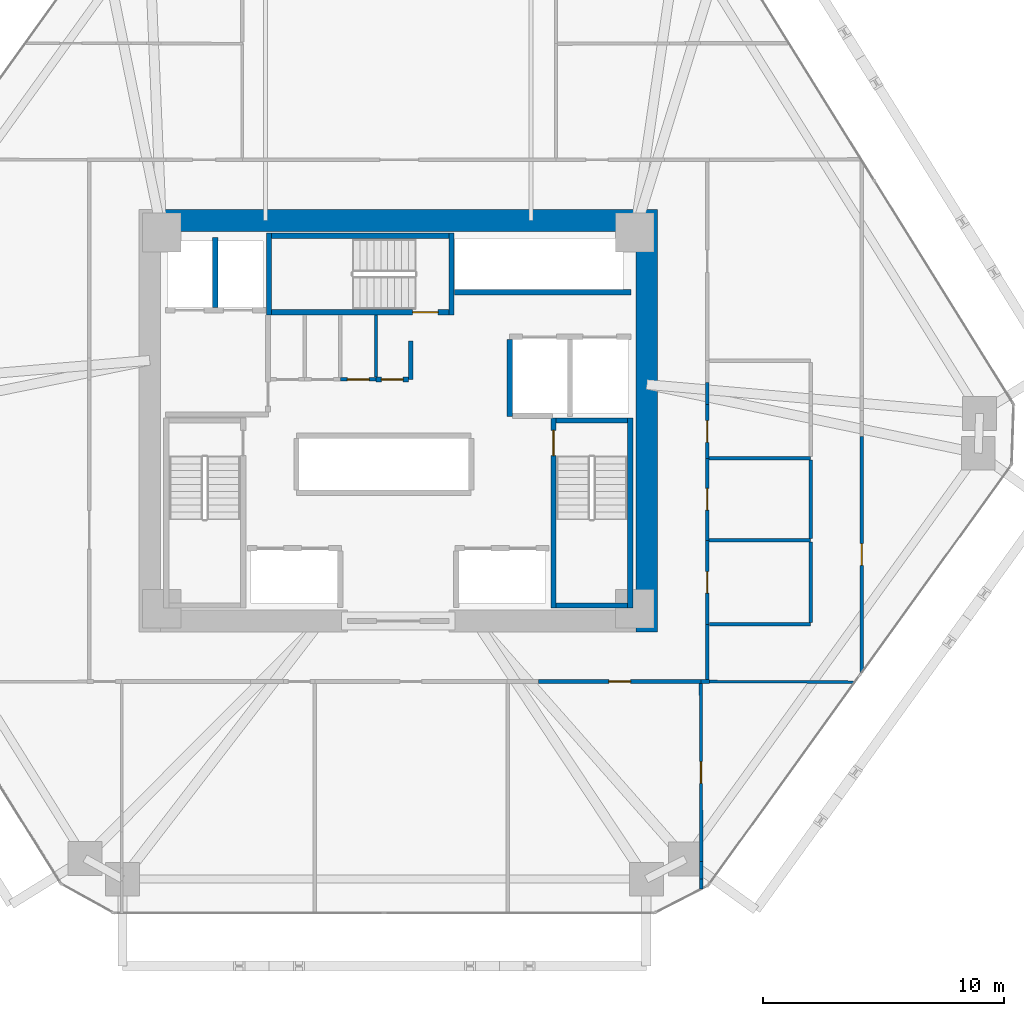
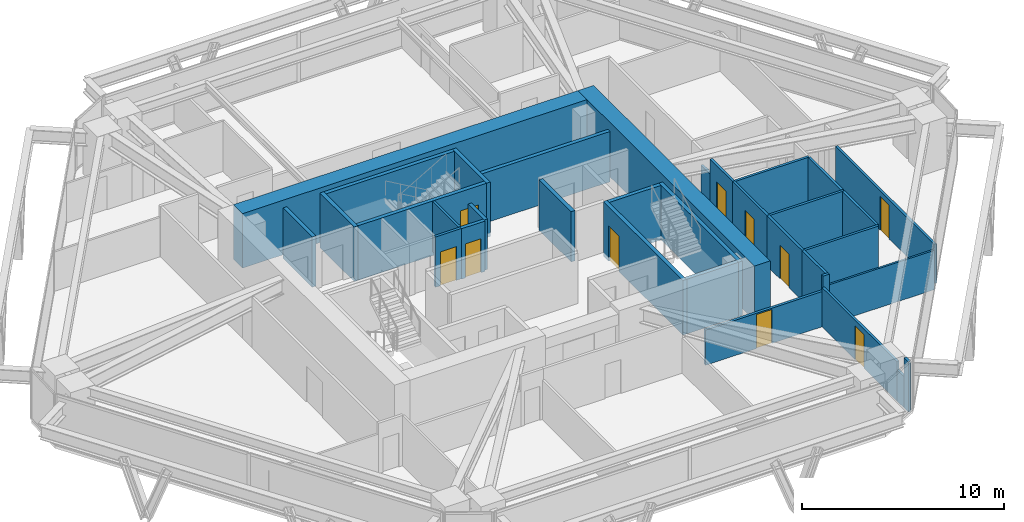
# One storey, part 12 of 15: 34 walls, 10 doors, 10 openings.
"""IFC4 building model written with IfcOpenShell, lengths in metres."""

from ifc_helpers import new_model, si_unit, direction, frame, frame_2d, origin, place, context, subcontext, project, spatial, rectangle, extrude, source, transform, mapped, material, layer, layer_set, type_object, type_shapes, element, fill, save


model = new_model("IFC4")

# Units and contexts
model_context = context("Model", 3, precision=1e-05, world=origin(), true_north=direction((0.0, 1.0)))
body_context = subcontext(model_context, "Body", "Model", "MODEL_VIEW")
ifc_project = project(units=[si_unit("LENGTHUNIT", "METRE"), si_unit("AREAUNIT", "SQUARE_METRE"), si_unit("VOLUMEUNIT", "CUBIC_METRE"), si_unit("PLANEANGLEUNIT", "RADIAN"), si_unit("MASSUNIT", "GRAM", prefix="KILO")], contexts=[model_context])

# Site, building, storey
site_placement = place(None, origin())
site = spatial("IfcSite", under=ifc_project, at=site_placement, CompositionType="ELEMENT")
building_placement = place(site_placement, origin())
building = spatial("IfcBuilding", under=site, at=building_placement, Name="Durnholm Broadcast Tower", CompositionType="ELEMENT")
storey_placement = place(building_placement, frame((0.0, 0.0, 55.5)))
storey = spatial("IfcBuildingStorey", under=building, at=storey_placement, Name="L13", CompositionType="ELEMENT", Elevation=55.5)

# Walls
ifc_material_1 = material(Name="Concrete C70/85", Category="concrete")
ifc_layer_1 = layer(ifc_material_1, 0.89990234375)
ifc_layer_set_1 = layer_set([ifc_layer_1], Name="Concrete C70/85")
wall_type_1 = type_object("IfcWallType", Name="WALL-CW-900", PredefinedType="SHEAR", material=ifc_layer_set_1)
wall_1_placement = place(storey_placement, frame((10.300048828125, -8.75, 0.0), z_axis=(0.0, 0.0, 1.0), x_axis=(0.0, 1.0, 0.0)))
element("IfcWall", 1, at=wall_1_placement, inside=storey, type_object=wall_type_1, Name="L13 central core shear wall CW-EAST", PredefinedType="SHEAR", context=body_context, shape_type="SweptSolid", body=[
    extrude(rectangle(XDim=17.5, YDim=0.89990234375, at=frame_2d((8.75, 0.0))), origin(), (0.0, 0.0, 1.0), 3.300048828125),
])
wall_2_placement = place(storey_placement, frame((-9.85009765625, 8.300048828125, 0.0), z_axis=(0.0, 0.0, 1.0), x_axis=(1.0, 0.0, 0.0)))
element("IfcWall", 2, at=wall_2_placement, inside=storey, type_object=wall_type_1, Name="L13 central core shear wall CW-N", PredefinedType="SHEAR", context=body_context, shape_type="SweptSolid", body=[
    extrude(rectangle(XDim=19.7001953125, YDim=0.89990234375, at=frame_2d((9.85009765625, 0.0))), origin(), (0.0, 0.0, 1.0), 3.300048828125),
])
ifc_material_2 = material(Name="Fire-Rated Gypsum Shaftwall", Category="concrete")
ifc_layer_2 = layer(ifc_material_2, 0.199951171875)
ifc_layer_set_2 = layer_set([ifc_layer_2], Name="Fire-Rated Gypsum Shaftwall")
wall_type_2 = type_object("IfcWallType", Name="WALL-LOB-200", PredefinedType="SOLIDWALL", material=ifc_layer_set_2)
wall_3_placement = place(storey_placement, frame((0.52001953125, 3.300048828125, 0.0), z_axis=(0.0, 0.0, 1.0), x_axis=(0.0, -1.0, 0.0)))
element("IfcWall", 3, at=wall_3_placement, inside=storey, type_object=wall_type_2, Name="L13 Core Signal Sync Room corridor partition", PredefinedType="SOLIDWALL", context=body_context, shape_type="SweptSolid", body=[
    extrude(rectangle(XDim=1.590087890625, YDim=0.199951171875, at=frame_2d((0.794921875, 0.0))), origin(), (0.0, 0.0, 1.0), 3.044921875),
])

# Wall, opening, door
wall_4_placement = place(storey_placement, frame((0.416015625, 1.7099609375, 0.0), z_axis=(0.0, 0.0, 1.0), x_axis=(-1.0, 0.0, 0.0)))
wall_4 = element("IfcWall", 4, at=wall_4_placement, inside=storey, type_object=wall_type_2, Name="L13 Core Signal Sync Room corridor partition", PredefinedType="SOLIDWALL", context=body_context, shape_type="SweptSolid", body=[
    extrude(rectangle(XDim=1.3359375, YDim=0.199951171875, at=frame_2d((0.66796875, 0.0))), origin(), (0.0, 0.0, 1.0), 3.044921875),
])
opening_1_placement = place(wall_4_placement, frame((0.218017578125, 0.0, 0.0)))
opening_1 = element("IfcOpeningElement", 5, at=opening_1_placement, cuts=wall_4, Name="Opening DC-60R", PredefinedType="OPENING", context=body_context, shape_type="SweptSolid", body=[
    extrude(rectangle(XDim=0.89990234375, YDim=2.050048828125, at=frame_2d((0.449951171875, 1.02490234375))), frame((0.0, 0.10986328125, 0.0), z_axis=(0.0, -1.0, 0.0), x_axis=(1.0, 0.0, 0.0)), (0.0, 0.0, 1.0), 0.219970703125),
])
ifc_material_3 = material(Name="Fire-Rated Core Service Door", Category="steel")
ifc_layer_3 = layer(ifc_material_3, 0.050048828125)
ifc_layer_set_3 = layer_set([ifc_layer_3], Name="Fire-Rated Core Service Door")
door_type_1 = type_object("IfcDoorType", Name="DOOR-CORE-FD60-R", OperationType="NOTDEFINED", PredefinedType="DOOR", material=ifc_layer_set_3)
shared_shape_1 = source(origin(), body_context, "Body", "SweptSolid", [
    extrude(rectangle(XDim=0.89990234375, YDim=2.050048828125, at=frame_2d((0.449951171875, 1.02490234375))), frame((0.0, 0.02490234375, 0.0), z_axis=(0.0, -1.0, 0.0), x_axis=(1.0, 0.0, 0.0)), (0.0, 0.0, 1.0), 0.050048828125),
])
type_shapes(door_type_1, [shared_shape_1])
door_1_placement = place(opening_1_placement, origin())
door_1 = element("IfcDoor", 6, at=door_1_placement, inside=storey, type_object=door_type_1, Name="L13 Core Signal Sync Room entrance door", OperationType="SINGLE_SWING_RIGHT", OverallHeight=2.050048828125, OverallWidth=0.89990234375, PredefinedType="DOOR", context=body_context, shape_type="MappedRepresentation", body=[
    mapped(shared_shape_1, transform((0.0, 0.0, 0.0), x_axis=(1.0, 0.0, 0.0), y_axis=(0.0, 1.0, 0.0), z_axis=(0.0, 0.0, 1.0), scale=1.0)),
])
fill(opening_1, door_1)

# Walls
ifc_material_4 = material(Name="Operable Acoustic Panel Partition", Category="aluminium")
ifc_layer_4 = layer(ifc_material_4, 0.110107421875)
ifc_layer_set_4 = layer_set([ifc_layer_4], Name="Operable Acoustic Panel Partition")
wall_type_3 = type_object("IfcWallType", Name="WALL-MOV-110", PredefinedType="MOVABLE", material=ifc_layer_set_4)
wall_5_placement = place(storey_placement, frame((12.889892578125, -10.810302734375, 0.0), z_axis=(0.0, 0.0, 1.0), x_axis=(0.999992607823, -0.003845035728, 0.0)))
element("IfcWall", 7, at=wall_5_placement, inside=storey, type_object=wall_type_3, Name="L13 room dividing partition 17.19", PredefinedType="MOVABLE", context=body_context, shape_type="SweptSolid", body=[
    extrude(rectangle(XDim=6.031982421875, YDim=0.110107421875, at=frame_2d((3.01611328125, 0.0))), origin(), (0.0, 0.0, 1.0), 2.3798828125),
])
ifc_material_5 = material(Name="Gypsum Metal Stud Partition", Category="concrete")
ifc_layer_5 = layer(ifc_material_5, 0.135009765625)
ifc_layer_set_5 = layer_set([ifc_layer_5], Name="Gypsum Metal Stud Partition")
wall_type_4 = type_object("IfcWallType", Name="WALL-PART-135", PredefinedType="PARTITIONING", material=ifc_layer_set_5)
wall_6_placement = place(storey_placement, frame((-0.919921875, 4.375, 0.0), z_axis=(0.0, 0.0, 1.0), x_axis=(0.0, -1.0, 0.0)))
element("IfcWall", 8, at=wall_6_placement, inside=storey, type_object=wall_type_4, Name="L13 room dividing partition 3.4", PredefinedType="PARTITIONING", context=body_context, shape_type="SweptSolid", body=[
    extrude(rectangle(XDim=2.56103515625, YDim=0.135009765625, at=frame_2d((1.280517578125, 0.0))), origin(), (0.0, 0.0, 1.0), 3.044921875),
])

# Wall, opening, door
wall_7_placement = place(storey_placement, frame((12.540283203125, -10.888916015625, 0.0), z_axis=(0.0, 0.0, 1.0), x_axis=(0.002115348101, -0.999997762649, 0.0)))
wall_7 = element("IfcWall", 9, at=wall_7_placement, inside=storey, type_object=wall_type_4, Name="L13 room dividing partition 16.17", PredefinedType="PARTITIONING", context=body_context, shape_type="SweptSolid", body=[
    extrude(rectangle(XDim=7.386474609375, YDim=0.135009765625, at=frame_2d((3.693359375, 0.0))), origin(), (0.0, 0.0, 1.0), 2.3798828125),
])
opening_2_placement = place(wall_7_placement, frame((3.2431640625, 0.0, 0.0)))
opening_2 = element("IfcOpeningElement", 10, at=opening_2_placement, cuts=wall_7, Name="Opening DW-90L", PredefinedType="OPENING", context=body_context, shape_type="SweptSolid", body=[
    extrude(rectangle(XDim=0.89990234375, YDim=2.050048828125, at=frame_2d((0.449951171875, 1.02490234375))), frame((0.0, 0.07763671875, 0.0), z_axis=(0.0, -1.0, 0.0), x_axis=(1.0, 0.0, 0.0)), (0.0, 0.0, 1.0), 0.155029296875),
])
ifc_material_6 = material(Name="Laminate Restroom Door", Category="steel")
ifc_layer_6 = layer(ifc_material_6, 0.050048828125)
ifc_layer_set_6 = layer_set([ifc_layer_6], Name="Laminate Restroom Door")
door_type_2 = type_object("IfcDoorType", Name="DOOR-WC-900L", OperationType="NOTDEFINED", PredefinedType="DOOR", material=ifc_layer_set_6)
shared_shape_2 = source(origin(), body_context, "Body", "SweptSolid", [
    extrude(rectangle(XDim=0.89990234375, YDim=2.050048828125, at=frame_2d((0.449951171875, 1.02490234375))), frame((0.0, 0.02490234375, 0.0), z_axis=(0.0, -1.0, 0.0), x_axis=(1.0, 0.0, 0.0)), (0.0, 0.0, 1.0), 0.050048828125),
])
type_shapes(door_type_2, [shared_shape_2])
door_2_placement = place(opening_2_placement, origin())
door_2 = element("IfcDoor", 11, at=door_2_placement, inside=storey, type_object=door_type_2, Name="L13 Investigative Meeting Room connecting door", OperationType="SINGLE_SWING_LEFT", OverallHeight=2.050048828125, OverallWidth=0.89990234375, PredefinedType="DOOR", context=body_context, shape_type="MappedRepresentation", body=[
    mapped(shared_shape_2, transform((0.0, 0.0, 0.0), x_axis=(1.0, 0.0, 0.0), y_axis=(0.0, 1.0, 0.0), z_axis=(0.0, 0.0, 1.0), scale=1.0)),
])
fill(opening_2, door_2)

# Walls
wall_8_placement = place(storey_placement, frame((12.557373046875, -18.99755859375, 0.0), z_axis=(0.0, 0.0, 1.0), x_axis=(0.001783588126, -0.999998409405, 0.0)))
element("IfcWall", 12, at=wall_8_placement, inside=storey, type_object=wall_type_4, Name="L13 room dividing partition 16.17", PredefinedType="PARTITIONING", context=body_context, shape_type="SweptSolid", body=[
    extrude(rectangle(XDim=0.41064453125, YDim=0.135009765625, at=frame_2d((0.205322265625, 0.0))), origin(), (0.0, 0.0, 1.0), 3.044921875),
])
wall_9_placement = place(storey_placement, frame((12.555908203125, -18.275390625, 0.0), z_axis=(0.0, 0.0, 1.0), x_axis=(0.002028393393, -0.999997942808, 0.0)))
element("IfcWall", 13, at=wall_9_placement, inside=storey, type_object=wall_type_4, Name="L13 room dividing partition 16.17", PredefinedType="PARTITIONING", context=body_context, shape_type="SweptSolid", body=[
    extrude(rectangle(XDim=0.72216796875, YDim=0.135009765625, at=frame_2d((0.361083984375, 0.0))), origin(), (0.0, 0.0, 1.0), 1.877197265625),
])

# Wall, opening, door
wall_10_placement = place(storey_placement, frame((19.210205078125, -0.655517578125, 0.0), z_axis=(0.0, 0.0, 1.0), x_axis=(-7.4898886e-05, -0.999999997195, 0.0)))
wall_10 = element("IfcWall", 14, at=wall_10_placement, inside=storey, type_object=wall_type_4, Name="L13 room dividing partition 19.20", PredefinedType="PARTITIONING", context=body_context, shape_type="SweptSolid", body=[
    extrude(rectangle(XDim=9.77880859375, YDim=0.135009765625, at=frame_2d((4.889404296875, 0.0))), origin(), (0.0, 0.0, 1.0), 2.3798828125),
])
opening_3_placement = place(wall_10_placement, frame((4.439453125, 0.0, 0.0)))
opening_3 = element("IfcOpeningElement", 15, at=opening_3_placement, cuts=wall_10, Name="Opening DW-90L", PredefinedType="OPENING", context=body_context, shape_type="SweptSolid", body=[
    extrude(rectangle(XDim=0.89990234375, YDim=2.050048828125, at=frame_2d((0.449951171875, 1.02490234375))), frame((0.0, 0.07763671875, 0.0), z_axis=(0.0, -1.0, 0.0), x_axis=(1.0, 0.0, 0.0)), (0.0, 0.0, 1.0), 0.155029296875),
])
door_3_placement = place(opening_3_placement, origin())
door_3 = element("IfcDoor", 16, at=door_3_placement, inside=storey, type_object=door_type_2, Name="L13 Broadcast Kitchen connecting door", OperationType="SINGLE_SWING_LEFT", OverallHeight=2.050048828125, OverallWidth=0.89990234375, PredefinedType="DOOR", context=body_context, shape_type="MappedRepresentation", body=[
    mapped(shared_shape_2, transform((0.0, 0.0, 0.0), x_axis=(1.0, 0.0, 0.0), y_axis=(0.0, 1.0, 0.0), z_axis=(0.0, 0.0, 1.0), scale=1.0)),
])
fill(opening_3, door_3)

ifc_material_7 = material(Name="Acoustic Gypsum Stud Partition", Category="concrete")
ifc_layer_7 = layer(ifc_material_7, 0.14990234375)
ifc_layer_set_7 = layer_set([ifc_layer_7], Name="Acoustic Gypsum Stud Partition")
wall_type_5 = type_object("IfcWallType", Name="WALL-PART-150", PredefinedType="PARTITIONING", material=ifc_layer_set_7)
wall_11_placement = place(storey_placement, frame((-0.919921875, 1.7099609375, 0.0), z_axis=(0.0, 0.0, 1.0), x_axis=(-1.0, 0.0, 0.0)))
wall_11 = element("IfcWall", 17, at=wall_11_placement, inside=storey, type_object=wall_type_5, Name="L13 Core Safety Gear Store corridor partition", PredefinedType="PARTITIONING", context=body_context, shape_type="SweptSolid", body=[
    extrude(rectangle(XDim=1.47998046875, YDim=0.14990234375, at=frame_2d((0.739990234375, 0.0))), origin(), (0.0, 0.0, 1.0), 3.044921875),
])
opening_4_placement = place(wall_11_placement, frame((0.2900390625, 0.0, 0.0)))
opening_4 = element("IfcOpeningElement", 18, at=opening_4_placement, cuts=wall_11, Name="Opening DC-60L", PredefinedType="OPENING", context=body_context, shape_type="SweptSolid", body=[
    extrude(rectangle(XDim=0.89990234375, YDim=2.050048828125, at=frame_2d((0.449951171875, 1.02490234375))), frame((0.0, 0.0849609375, 0.0), z_axis=(0.0, -1.0, 0.0), x_axis=(1.0, 0.0, 0.0)), (0.0, 0.0, 1.0), 0.169921875),
])
ifc_layer_8 = layer(ifc_material_3, 0.050048828125)
ifc_layer_set_8 = layer_set([ifc_layer_8], Name="Fire-Rated Core Service Door")
door_type_3 = type_object("IfcDoorType", Name="DOOR-CORE-FD60-L", OperationType="NOTDEFINED", PredefinedType="DOOR", material=ifc_layer_set_8)
shared_shape_3 = source(origin(), body_context, "Body", "SweptSolid", [
    extrude(rectangle(XDim=0.89990234375, YDim=2.050048828125, at=frame_2d((0.449951171875, 1.02490234375))), frame((0.0, 0.02490234375, 0.0), z_axis=(0.0, -1.0, 0.0), x_axis=(1.0, 0.0, 0.0)), (0.0, 0.0, 1.0), 0.050048828125),
])
type_shapes(door_type_3, [shared_shape_3])
door_4_placement = place(opening_4_placement, origin())
door_4 = element("IfcDoor", 19, at=door_4_placement, inside=storey, type_object=door_type_3, Name="L13 Core Safety Gear Store entrance door", OperationType="SINGLE_SWING_LEFT", OverallHeight=2.050048828125, OverallWidth=0.89990234375, PredefinedType="DOOR", context=body_context, shape_type="MappedRepresentation", body=[
    mapped(shared_shape_3, transform((0.0, 0.0, 0.0), x_axis=(1.0, 0.0, 0.0), y_axis=(0.0, 1.0, 0.0), z_axis=(0.0, 0.0, 1.0), scale=1.0)),
])
fill(opening_4, door_4)

wall_12_placement = place(storey_placement, frame((5.8173828125, -10.81005859375, 0.0), z_axis=(0.0, 0.0, 1.0), x_axis=(1.0, 0.0, 0.0)))
wall_12 = element("IfcWall", 20, at=wall_12_placement, inside=storey, type_object=wall_type_5, Name="L13 Open Plan Broadcast Workspace 4 corridor partition", PredefinedType="PARTITIONING", context=body_context, shape_type="SweptSolid", body=[
    extrude(rectangle(XDim=6.72265625, YDim=0.14990234375, at=frame_2d((3.361328125, 0.0))), origin(), (0.0, 0.0, 1.0), 2.130126953125),
])
opening_5_placement = place(wall_12_placement, frame((2.911376953125, 0.0, 0.0)))
opening_5 = element("IfcOpeningElement", 21, at=opening_5_placement, cuts=wall_12, Name="Opening DW-90R", PredefinedType="OPENING", context=body_context, shape_type="SweptSolid", body=[
    extrude(rectangle(XDim=0.89990234375, YDim=2.050048828125, at=frame_2d((0.449951171875, 1.02490234375))), frame((0.0, 0.0849609375, 0.0), z_axis=(0.0, -1.0, 0.0), x_axis=(1.0, 0.0, 0.0)), (0.0, 0.0, 1.0), 0.169921875),
])
ifc_layer_9 = layer(ifc_material_6, 0.050048828125)
ifc_layer_set_9 = layer_set([ifc_layer_9], Name="Laminate Restroom Door")
door_type_4 = type_object("IfcDoorType", Name="DOOR-WC-900R", OperationType="NOTDEFINED", PredefinedType="DOOR", material=ifc_layer_set_9)
shared_shape_4 = source(origin(), body_context, "Body", "SweptSolid", [
    extrude(rectangle(XDim=0.89990234375, YDim=2.050048828125, at=frame_2d((0.449951171875, 1.02490234375))), frame((0.0, 0.02490234375, 0.0), z_axis=(0.0, -1.0, 0.0), x_axis=(1.0, 0.0, 0.0)), (0.0, 0.0, 1.0), 0.050048828125),
])
type_shapes(door_type_4, [shared_shape_4])
door_5_placement = place(opening_5_placement, origin())
door_5 = element("IfcDoor", 22, at=door_5_placement, inside=storey, type_object=door_type_4, Name="L13 Open Plan Broadcast Workspace 4 entrance door", OperationType="SINGLE_SWING_RIGHT", OverallHeight=2.050048828125, OverallWidth=0.89990234375, PredefinedType="DOOR", context=body_context, shape_type="MappedRepresentation", body=[
    mapped(shared_shape_4, transform((0.0, 0.0, 0.0), x_axis=(1.0, 0.0, 0.0), y_axis=(0.0, 1.0, 0.0), z_axis=(0.0, 0.0, 1.0), scale=1.0)),
])
fill(opening_5, door_5)

# Walls
wall_13_placement = place(storey_placement, frame((12.5400390625, -10.81005859375, 0.0), z_axis=(0.0, 0.0, 1.0), x_axis=(1.0, 0.0, 0.0)))
element("IfcWall", 23, at=wall_13_placement, inside=storey, type_object=wall_type_5, Name="L13 Investigative Meeting Room corridor partition", PredefinedType="PARTITIONING", context=body_context, shape_type="SweptSolid", body=[
    extrude(rectangle(XDim=0.349853515625, YDim=0.14990234375, at=frame_2d((0.1748046875, 0.0))), origin(), (0.0, 0.0, 1.0), 3.044921875),
])
wall_14_placement = place(storey_placement, frame((12.81005859375, -10.73095703125, 0.0), z_axis=(0.0, 0.0, 1.0), x_axis=(0.0, 1.0, 0.0)))
element("IfcWall", 24, at=wall_14_placement, inside=storey, type_object=wall_type_5, Name="L13 Sound Review Lounge corridor partition", PredefinedType="PARTITIONING", context=body_context, shape_type="SweptSolid", body=[
    extrude(rectangle(XDim=2.291015625, YDim=0.14990234375, at=frame_2d((1.1455078125, 0.0))), origin(), (0.0, 0.0, 1.0), 3.044921875),
])
ifc_material_8 = material(Name="Concrete Blockwork C30/37", Category="masonry")
ifc_layer_10 = layer(ifc_material_8, 0.219970703125)
ifc_layer_set_10 = layer_set([ifc_layer_10], Name="Concrete Blockwork C30/37")
wall_type_6 = type_object("IfcWallType", Name="WALL-SHAFT-220", PredefinedType="SOLIDWALL", material=ifc_layer_set_10)
wall_15_placement = place(storey_placement, frame((-7.580078125, 4.694091796875, 0.0), z_axis=(0.0, 0.0, 1.0), x_axis=(0.0, 1.0, 0.0)))
element("IfcWall", 25, at=wall_15_placement, inside=storey, type_object=wall_type_6, Name="L13 FSAE shaft divider wall", PredefinedType="SOLIDWALL", context=body_context, shape_type="SweptSolid", body=[
    extrude(rectangle(XDim=2.906005859375, YDim=0.219970703125, at=frame_2d((1.453125, 0.0))), origin(), (0.0, 0.0, 1.0), 3.044921875),
])
wall_16_placement = place(storey_placement, frame((4.6201171875, 0.179931640625, 0.0), z_axis=(0.0, 0.0, 1.0), x_axis=(0.0, 1.0, 0.0)))
element("IfcWall", 26, at=wall_16_placement, inside=storey, type_object=wall_type_6, Name="L13 freight service lift SVL-2 west wall", PredefinedType="SOLIDWALL", context=body_context, shape_type="SweptSolid", body=[
    extrude(rectangle(XDim=3.18603515625, YDim=0.219970703125, at=frame_2d((1.593017578125, 0.0))), origin(), (0.0, 0.0, 1.0), 3.044921875),
])
wall_17_placement = place(storey_placement, frame((2.324951171875, 5.320068359375, 0.0), z_axis=(0.0, 0.0, 1.0), x_axis=(1.0, 0.0, 0.0)))
element("IfcWall", 27, at=wall_17_placement, inside=storey, type_object=wall_type_6, Name="L13 high-rise bank P3 south front wall", PredefinedType="SOLIDWALL", context=body_context, shape_type="SweptSolid", body=[
    extrude(rectangle(XDim=7.324951171875, YDim=0.219970703125, at=frame_2d((3.66259765625, 0.0))), origin(), (0.0, 0.0, 1.0), 3.044921875),
])
ifc_material_9 = material(Name="Concrete C50/60", Category="concrete")
ifc_layer_11 = layer(ifc_material_9, 0.219970703125)
ifc_layer_set_11 = layer_set([ifc_layer_11], Name="Concrete C50/60")
wall_type_7 = type_object("IfcWallType", Name="WALL-SW-220", PredefinedType="SHEAR", material=ifc_layer_set_11)
wall_18_placement = place(storey_placement, frame((9.610107421875, -7.77001953125, -0.239990234375), z_axis=(0.0, 0.0, 1.0), x_axis=(0.0, 1.0, 0.0)))
element("IfcWall", 28, at=wall_18_placement, inside=storey, type_object=wall_type_7, Name="L13 stair ST-2 structural shaft wall E", PredefinedType="SHEAR", context=body_context, shape_type="SweptSolid", body=[
    extrude(rectangle(XDim=7.89013671875, YDim=0.219970703125, at=frame_2d((3.945068359375, 0.0))), origin(), (0.0, 0.0, 1.0), 3.300048828125),
])

# Wall, opening, door
wall_19_placement = place(storey_placement, frame((6.429931640625, 0.1201171875, -0.239990234375), z_axis=(0.0, 0.0, 1.0), x_axis=(0.0, -1.0, 0.0)))
wall_19 = element("IfcWall", 29, at=wall_19_placement, inside=storey, type_object=wall_type_7, Name="L13 stair ST-2 structural shaft wall W", PredefinedType="SHEAR", context=body_context, shape_type="SweptSolid", body=[
    extrude(rectangle(XDim=7.89013671875, YDim=0.219970703125, at=frame_2d((3.945068359375, 0.0))), origin(), (0.0, 0.0, 1.0), 3.300048828125),
])
opening_6_placement = place(wall_19_placement, frame((0.52001953125, 0.0, 0.0)))
opening_6 = element("IfcOpeningElement", 30, at=opening_6_placement, cuts=wall_19, Name="Opening DS-90R", PredefinedType="OPENING", context=body_context, shape_type="SweptSolid", body=[
    extrude(rectangle(XDim=1.050048828125, YDim=2.14990234375, at=frame_2d((0.52490234375, 1.074951171875))), frame((0.0, 0.1201171875, 0.0), z_axis=(0.0, -1.0, 0.0), x_axis=(1.0, 0.0, 0.0)), (0.0, 0.0, 1.0), 0.239990234375),
])
ifc_material_10 = material(Name="Fire-Rated Steel Door", Category="steel")
ifc_layer_12 = layer(ifc_material_10, 0.050048828125)
ifc_layer_set_12 = layer_set([ifc_layer_12], Name="Fire-Rated Steel Door")
door_type_5 = type_object("IfcDoorType", Name="DOOR-ST-FD90-R", OperationType="NOTDEFINED", PredefinedType="DOOR", material=ifc_layer_set_12)
shared_shape_5 = source(origin(), body_context, "Body", "SweptSolid", [
    extrude(rectangle(XDim=1.050048828125, YDim=2.14990234375, at=frame_2d((0.52490234375, 1.074951171875))), frame((0.0, 0.02490234375, 0.0), z_axis=(0.0, -1.0, 0.0), x_axis=(1.0, 0.0, 0.0)), (0.0, 0.0, 1.0), 0.050048828125),
])
type_shapes(door_type_5, [shared_shape_5])
door_6_placement = place(opening_6_placement, origin())
door_6 = element("IfcDoor", 31, at=door_6_placement, inside=storey, type_object=door_type_5, Name="L13 exit stair ST-2 fire door", OperationType="SINGLE_SWING_RIGHT", OverallHeight=2.14990234375, OverallWidth=1.050048828125, PredefinedType="DOOR", context=body_context, shape_type="MappedRepresentation", body=[
    mapped(shared_shape_5, transform((0.0, 0.0, 0.0), x_axis=(1.0, 0.0, 0.0), y_axis=(0.0, 1.0, 0.0), z_axis=(0.0, 0.0, 1.0), scale=1.0)),
])
fill(opening_6, door_6)

# Walls
for number, where, z_axis, x_axis, name in (
    (32, (6.5400390625, -7.659912109375, -0.239990234375), (0.0, 0.0, 1.0), (1.0, 0.0, 0.0), "L13 stair ST-2 structural shaft wall S"),
    (33, (9.5, 0.010009765625, -0.239990234375), (0.0, 0.0, 1.0), (-1.0, 0.0, 0.0), "L13 stair ST-2 structural shaft wall N"),
):
    element("IfcWall", number, at=place(storey_placement, frame(where, z_axis=z_axis, x_axis=x_axis)), inside=storey, type_object=wall_type_7, Name=name, PredefinedType="SHEAR", context=body_context, shape_type="SweptSolid", body=[
        extrude(rectangle(XDim=2.9599609375, YDim=0.219970703125, at=frame_2d((1.47998046875, 0.0))), origin(), (0.0, 0.0, 1.0), 3.300048828125),
    ])
for number, where, z_axis, x_axis, name in (
    (34, (2.2099609375, 4.3798828125, -0.239990234375), (0.0, 0.0, 1.0), (0.0, 1.0, 0.0), "L13 stair ST-3 structural shaft wall E"),
    (35, (-5.360107421875, 7.780029296875, -0.239990234375), (0.0, 0.0, 1.0), (0.0, -1.0, 0.0), "L13 stair ST-3 structural shaft wall W"),
):
    element("IfcWall", number, at=place(storey_placement, frame(where, z_axis=z_axis, x_axis=x_axis)), inside=storey, type_object=wall_type_7, Name=name, PredefinedType="SHEAR", context=body_context, shape_type="SweptSolid", body=[
        extrude(rectangle(XDim=3.400146484375, YDim=0.219970703125, at=frame_2d((1.7001953125, 0.0))), origin(), (0.0, 0.0, 1.0), 3.300048828125),
    ])

# Wall, opening, door
wall_20_placement = place(storey_placement, frame((-5.25, 4.489990234375, -0.239990234375), z_axis=(0.0, 0.0, 1.0), x_axis=(1.0, 0.0, 0.0)))
wall_20 = element("IfcWall", 36, at=wall_20_placement, inside=storey, type_object=wall_type_7, Name="L13 stair ST-3 structural shaft wall S", PredefinedType="SHEAR", context=body_context, shape_type="SweptSolid", body=[
    extrude(rectangle(XDim=7.35009765625, YDim=0.219970703125, at=frame_2d((3.675048828125, 0.0))), origin(), (0.0, 0.0, 1.0), 3.300048828125),
])
opening_7_placement = place(wall_20_placement, frame((5.85009765625, 0.0, 0.0)))
opening_7 = element("IfcOpeningElement", 37, at=opening_7_placement, cuts=wall_20, Name="Opening DS-90L", PredefinedType="OPENING", context=body_context, shape_type="SweptSolid", body=[
    extrude(rectangle(XDim=1.050048828125, YDim=2.14990234375, at=frame_2d((0.52490234375, 1.074951171875))), frame((0.0, 0.1201171875, 0.0), z_axis=(0.0, -1.0, 0.0), x_axis=(1.0, 0.0, 0.0)), (0.0, 0.0, 1.0), 0.239990234375),
])
ifc_layer_13 = layer(ifc_material_10, 0.050048828125)
ifc_layer_set_13 = layer_set([ifc_layer_13], Name="Fire-Rated Steel Door")
door_type_6 = type_object("IfcDoorType", Name="DOOR-ST-FD90-L", OperationType="NOTDEFINED", PredefinedType="DOOR", material=ifc_layer_set_13)
shared_shape_6 = source(origin(), body_context, "Body", "SweptSolid", [
    extrude(rectangle(XDim=1.050048828125, YDim=2.14990234375, at=frame_2d((0.52490234375, 1.074951171875))), frame((0.0, 0.02490234375, 0.0), z_axis=(0.0, -1.0, 0.0), x_axis=(1.0, 0.0, 0.0)), (0.0, 0.0, 1.0), 0.050048828125),
])
type_shapes(door_type_6, [shared_shape_6])
door_7_placement = place(opening_7_placement, origin())
door_7 = element("IfcDoor", 38, at=door_7_placement, inside=storey, type_object=door_type_6, Name="L13 exit stair ST-3 fire door", OperationType="SINGLE_SWING_LEFT", OverallHeight=2.14990234375, OverallWidth=1.050048828125, PredefinedType="DOOR", context=body_context, shape_type="MappedRepresentation", body=[
    mapped(shared_shape_6, transform((0.0, 0.0, 0.0), x_axis=(1.0, 0.0, 0.0), y_axis=(0.0, 1.0, 0.0), z_axis=(0.0, 0.0, 1.0), scale=1.0)),
])
fill(opening_7, door_7)

# Wall
wall_21_placement = place(storey_placement, frame((2.10009765625, 7.669921875, -0.239990234375), z_axis=(0.0, 0.0, 1.0), x_axis=(-1.0, 0.0, 0.0)))
element("IfcWall", 39, at=wall_21_placement, inside=storey, type_object=wall_type_7, Name="L13 stair ST-3 structural shaft wall N", PredefinedType="SHEAR", context=body_context, shape_type="SweptSolid", body=[
    extrude(rectangle(XDim=7.35009765625, YDim=0.219970703125, at=frame_2d((3.675048828125, 0.0))), origin(), (0.0, 0.0, 1.0), 3.300048828125),
])

# Wall, opening, door
ifc_material_11 = material(Name="Moisture-Resistant Tile Partition", Category="concrete")
ifc_layer_14 = layer(ifc_material_11, 0.139892578125)
ifc_layer_set_14 = layer_set([ifc_layer_14], Name="Moisture-Resistant Tile Partition")
wall_type_8 = type_object("IfcWallType", Name="WALL-WC-140", PredefinedType="PARTITIONING", material=ifc_layer_set_14)
wall_22_placement = place(storey_placement, frame((12.81005859375, -8.43994140625, 0.0), z_axis=(0.0, 0.0, 1.0), x_axis=(0.0, 1.0, 0.0)))
wall_22 = element("IfcWall", 40, at=wall_22_placement, inside=storey, type_object=wall_type_8, Name="L13 Men's Restroom corridor partition", PredefinedType="PARTITIONING", context=body_context, shape_type="SweptSolid", body=[
    extrude(rectangle(XDim=3.47998046875, YDim=0.139892578125, at=frame_2d((1.739990234375, 0.0))), origin(), (0.0, 0.0, 1.0), 3.044921875),
])
opening_8_placement = place(wall_22_placement, frame((1.2900390625, 0.0, 0.0)))
opening_8 = element("IfcOpeningElement", 41, at=opening_8_placement, cuts=wall_22, Name="Opening DW-90L", PredefinedType="OPENING", context=body_context, shape_type="SweptSolid", body=[
    extrude(rectangle(XDim=0.89990234375, YDim=2.050048828125, at=frame_2d((0.449951171875, 1.02490234375))), frame((0.0, 0.080078125, 0.0), z_axis=(0.0, -1.0, 0.0), x_axis=(1.0, 0.0, 0.0)), (0.0, 0.0, 1.0), 0.159912109375),
])
door_8_placement = place(opening_8_placement, origin())
door_8 = element("IfcDoor", 42, at=door_8_placement, inside=storey, type_object=door_type_2, Name="L13 Men's Restroom entrance door", OperationType="SINGLE_SWING_LEFT", OverallHeight=2.050048828125, OverallWidth=0.89990234375, PredefinedType="DOOR", context=body_context, shape_type="MappedRepresentation", body=[
    mapped(shared_shape_2, transform((0.0, 0.0, 0.0), x_axis=(1.0, 0.0, 0.0), y_axis=(0.0, 1.0, 0.0), z_axis=(0.0, 0.0, 1.0), scale=1.0)),
])
fill(opening_8, door_8)

wall_23_placement = place(storey_placement, frame((12.81005859375, -4.9599609375, 0.0), z_axis=(0.0, 0.0, 1.0), x_axis=(0.0, 1.0, 0.0)))
wall_23 = element("IfcWall", 43, at=wall_23_placement, inside=storey, type_object=wall_type_8, Name="L13 Women's Restroom corridor partition", PredefinedType="PARTITIONING", context=body_context, shape_type="SweptSolid", body=[
    extrude(rectangle(XDim=3.39990234375, YDim=0.139892578125, at=frame_2d((1.699951171875, 0.0))), origin(), (0.0, 0.0, 1.0), 3.044921875),
])
opening_9_placement = place(wall_23_placement, frame((1.25, 0.0, 0.0)))
opening_9 = element("IfcOpeningElement", 44, at=opening_9_placement, cuts=wall_23, Name="Opening DW-90R", PredefinedType="OPENING", context=body_context, shape_type="SweptSolid", body=[
    extrude(rectangle(XDim=0.89990234375, YDim=2.050048828125, at=frame_2d((0.449951171875, 1.02490234375))), frame((0.0, 0.080078125, 0.0), z_axis=(0.0, -1.0, 0.0), x_axis=(1.0, 0.0, 0.0)), (0.0, 0.0, 1.0), 0.159912109375),
])
door_9_placement = place(opening_9_placement, origin())
door_9 = element("IfcDoor", 45, at=door_9_placement, inside=storey, type_object=door_type_4, Name="L13 Women's Restroom entrance door", OperationType="SINGLE_SWING_RIGHT", OverallHeight=2.050048828125, OverallWidth=0.89990234375, PredefinedType="DOOR", context=body_context, shape_type="MappedRepresentation", body=[
    mapped(shared_shape_4, transform((0.0, 0.0, 0.0), x_axis=(1.0, 0.0, 0.0), y_axis=(0.0, 1.0, 0.0), z_axis=(0.0, 0.0, 1.0), scale=1.0)),
])
fill(opening_9, door_9)

wall_24_placement = place(storey_placement, frame((12.81005859375, -1.56005859375, 0.0), z_axis=(0.0, 0.0, 1.0), x_axis=(0.0, 1.0, 0.0)))
wall_24 = element("IfcWall", 46, at=wall_24_placement, inside=storey, type_object=wall_type_8, Name="L13 Accessible Restroom corridor partition", PredefinedType="PARTITIONING", context=body_context, shape_type="SweptSolid", body=[
    extrude(rectangle(XDim=2.231201171875, YDim=0.139892578125, at=frame_2d((1.11572265625, 0.0))), origin(), (0.0, 0.0, 1.0), 3.044921875),
])
opening_10_placement = place(wall_24_placement, frame((0.66552734375, 0.0, 0.0)))
opening_10 = element("IfcOpeningElement", 47, at=opening_10_placement, cuts=wall_24, Name="Opening DW-90L", PredefinedType="OPENING", context=body_context, shape_type="SweptSolid", body=[
    extrude(rectangle(XDim=0.89990234375, YDim=2.050048828125, at=frame_2d((0.449951171875, 1.02490234375))), frame((0.0, 0.080078125, 0.0), z_axis=(0.0, -1.0, 0.0), x_axis=(1.0, 0.0, 0.0)), (0.0, 0.0, 1.0), 0.159912109375),
])
door_10_placement = place(opening_10_placement, origin())
door_10 = element("IfcDoor", 48, at=door_10_placement, inside=storey, type_object=door_type_2, Name="L13 Accessible Restroom entrance door", OperationType="SINGLE_SWING_LEFT", OverallHeight=2.050048828125, OverallWidth=0.89990234375, PredefinedType="DOOR", context=body_context, shape_type="MappedRepresentation", body=[
    mapped(shared_shape_2, transform((0.0, 0.0, 0.0), x_axis=(1.0, 0.0, 0.0), y_axis=(0.0, 1.0, 0.0), z_axis=(0.0, 0.0, 1.0), scale=1.0)),
])
fill(opening_10, door_10)

# Walls
wall_25_placement = place(storey_placement, frame((12.81005859375, 0.671142578125, 0.0), z_axis=(0.0, 0.0, 1.0), x_axis=(0.0, 1.0, 0.0)))
element("IfcWall", 49, at=wall_25_placement, inside=storey, type_object=wall_type_8, Name="L13 Accessible Restroom corridor partition", PredefinedType="PARTITIONING", context=body_context, shape_type="SweptSolid", body=[
    extrude(rectangle(XDim=0.91357421875, YDim=0.139892578125, at=frame_2d((0.456787109375, 0.0))), origin(), (0.0, 0.0, 1.0), 2.130126953125),
])
wall_26_placement = place(storey_placement, frame((12.884033203125, -4.9599609375, 0.0), z_axis=(0.0, 0.0, 1.0), x_axis=(1.0, 0.0, 0.0)))
element("IfcWall", 50, at=wall_26_placement, inside=storey, type_object=wall_type_8, Name="L13 room dividing partition 5.6", PredefinedType="PARTITIONING", context=body_context, shape_type="SweptSolid", body=[
    extrude(rectangle(XDim=4.2060546875, YDim=0.139892578125, at=frame_2d((2.10302734375, 0.0))), origin(), (0.0, 0.0, 1.0), 3.044921875),
])
wall_27_placement = place(storey_placement, frame((17.090087890625, -8.43994140625, 0.0), z_axis=(0.0, 0.0, 1.0), x_axis=(-1.0, 0.0, 0.0)))
element("IfcWall", 51, at=wall_27_placement, inside=storey, type_object=wall_type_8, Name="L13 room dividing partition 5.19", PredefinedType="PARTITIONING", context=body_context, shape_type="SweptSolid", body=[
    extrude(rectangle(XDim=4.201171875, YDim=0.139892578125, at=frame_2d((2.1005859375, 0.0))), origin(), (0.0, 0.0, 1.0), 3.044921875),
])
wall_28_placement = place(storey_placement, frame((17.090087890625, -5.033935546875, 0.0), z_axis=(0.0, 0.0, 1.0), x_axis=(0.0, -1.0, 0.0)))
element("IfcWall", 52, at=wall_28_placement, inside=storey, type_object=wall_type_8, Name="L13 room dividing partition 5.19", PredefinedType="PARTITIONING", context=body_context, shape_type="SweptSolid", body=[
    extrude(rectangle(XDim=3.33203125, YDim=0.139892578125, at=frame_2d((1.666015625, 0.0))), origin(), (0.0, 0.0, 1.0), 3.044921875),
])
wall_29_placement = place(storey_placement, frame((12.884033203125, -1.56005859375, 0.0), z_axis=(0.0, 0.0, 1.0), x_axis=(1.0, 0.0, 0.0)))
element("IfcWall", 53, at=wall_29_placement, inside=storey, type_object=wall_type_8, Name="L13 room dividing partition 6.7", PredefinedType="PARTITIONING", context=body_context, shape_type="SweptSolid", body=[
    extrude(rectangle(XDim=4.2060546875, YDim=0.139892578125, at=frame_2d((2.10302734375, 0.0))), origin(), (0.0, 0.0, 1.0), 3.044921875),
])
wall_30_placement = place(storey_placement, frame((17.090087890625, -1.634033203125, 0.0), z_axis=(0.0, 0.0, 1.0), x_axis=(0.0, -1.0, 0.0)))
element("IfcWall", 54, at=wall_30_placement, inside=storey, type_object=wall_type_8, Name="L13 room dividing partition 6.19", PredefinedType="PARTITIONING", context=body_context, shape_type="SweptSolid", body=[
    extrude(rectangle(XDim=3.251953125, YDim=0.139892578125, at=frame_2d((1.6259765625, 0.0))), origin(), (0.0, 0.0, 1.0), 3.044921875),
])

save(model, "model.ifc")
